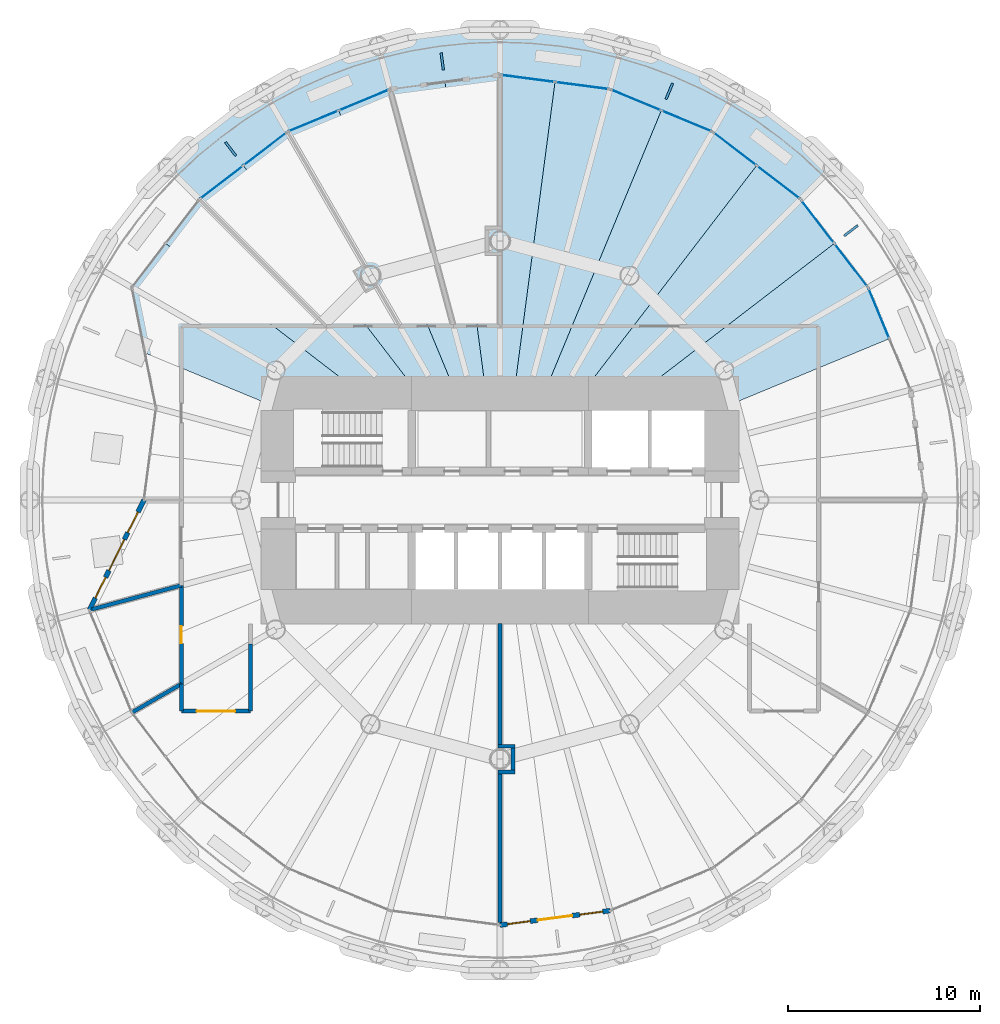
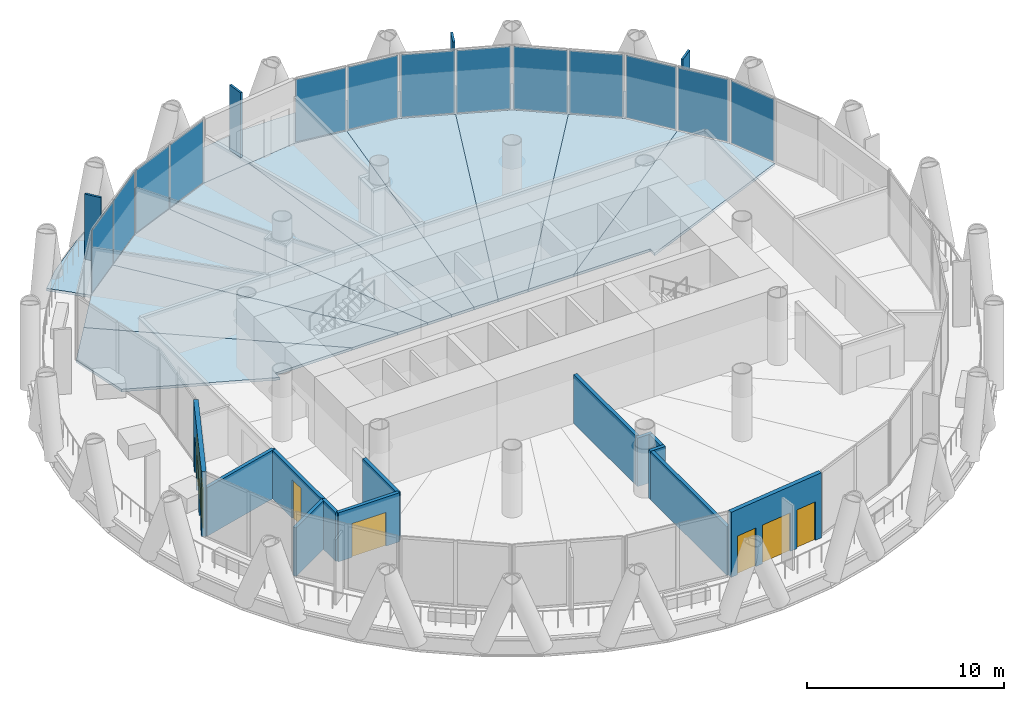
# One storey, part 9 of 16: 17 plates, 13 walls, 10 slabs, 4 doors, 4 windows, 8 openings, 7 elements without a shape of their own.
"""IFC4 building model written with IfcOpenShell, lengths in metres."""

from ifc_helpers import new_model, si_unit, direction, frame, frame_2d, origin, origin_2d, place, context, subcontext, project, spatial, polyline, rectangle, outline, extrude, material, layer, layer_set, type_object, element, fill, aggregate, save


model = new_model("IFC4")

# Units and contexts
model_context = context("Model", 3, precision=1e-05, world=origin(), true_north=direction((0.0, 1.0)))
body_context = subcontext(model_context, "Body", "Model", "MODEL_VIEW")
ifc_project = project(units=[si_unit("LENGTHUNIT", "METRE"), si_unit("AREAUNIT", "SQUARE_METRE"), si_unit("VOLUMEUNIT", "CUBIC_METRE"), si_unit("PLANEANGLEUNIT", "RADIAN"), si_unit("MASSUNIT", "GRAM", prefix="KILO")], contexts=[model_context])

# Site, building, storey
site_placement = place(None, origin())
site = spatial("IfcSite", under=ifc_project, at=site_placement, CompositionType="ELEMENT")
building_placement = place(site_placement, origin())
building = spatial("IfcBuilding", under=site, at=building_placement, Name="Qaws Media Tower", CompositionType="ELEMENT")
storey_placement = place(building_placement, frame((0.0, 0.0, 173.0)))
storey = spatial("IfcBuildingStorey", under=building, at=storey_placement, Name="L39", CompositionType="ELEMENT", Elevation=173.0)

# Slabs
ifc_material_1 = material(Name="Concrete C35/45", Category="concrete")
ifc_layer_1 = layer(ifc_material_1, 0.159912109375)
ifc_layer_set_1 = layer_set([ifc_layer_1], Name="Composite balcony slab 160")
slab_type_1 = type_object("IfcSlabType", Name="Composite balcony slab 160", PredefinedType="FLOOR", material=ifc_layer_set_1)
slab_1_placement = place(storey_placement, frame((0.0, 0.0, -0.159912109375)))
element("IfcSlab", 1, at=slab_1_placement, inside=storey, type_object=slab_type_1, Name="S2 balcony slab L39 R04 to R10, movement joints on R04 and R10", PredefinedType="FLOOR", context=body_context, shape_type="SweptSolid", body=[
    extrude(outline(polyline([(43.81298828125, 68.457763671875), (46.36083984375, 70.41259765625), (49.141845703125, 72.018310546875), (52.108642578125, 73.2470703125), (55.21044921875, 74.078369140625), (58.394287109375, 74.497314453125), (61.605712890625, 74.497314453125), (64.78955078125, 74.078369140625), (67.891357421875, 73.2470703125), (70.858154296875, 72.018310546875), (73.63916015625, 70.41259765625), (76.18701171875, 68.457763671875), (77.322265625, 67.322265625), (75.662353515625, 65.662353515625), (71.074951171875, 69.1826171875), (65.73291015625, 71.395263671875), (60.0, 72.14990234375), (54.26708984375, 71.395263671875), (48.925048828125, 69.1826171875), (44.337646484375, 65.662353515625), (42.677734375, 67.322265625), (43.81298828125, 68.457763671875)])), origin(), (0.0, 0.0, 1.0), 0.159912109375),
])
ifc_material_2 = material(Name="Concrete C35/45", Category="concrete")
ifc_layer_2 = layer(ifc_material_2, 0.159912109375)
ifc_layer_set_2 = layer_set([ifc_layer_2], Name="Composite floor slab 160")
slab_type_2 = type_object("IfcSlabType", Name="Composite floor slab 160", PredefinedType="FLOOR", material=ifc_layer_set_2)
slab_2_placement = place(storey_placement, frame((0.0, 0.0, -0.159912109375)))
element("IfcSlab", 2, at=slab_2_placement, inside=storey, type_object=slab_type_2, Name="S1 floor panel L39 on R03", PredefinedType="FLOOR", context=body_context, shape_type="SweptSolid", body=[
    extrude(outline(polyline([(79.1826171875, 61.074951171875), (80.288818359375, 58.40380859375), (71.0, 54.556396484375), (71.0, 55.0), (66.51611328125, 55.0), (77.42236328125, 63.36865234375), (79.1826171875, 61.074951171875)])), origin(), (0.0, 0.0, 1.0), 0.159912109375),
])
slab_3_placement = place(storey_placement, frame((0.0, 0.0, -0.159912109375)))
element("IfcSlab", 3, at=slab_3_placement, inside=storey, type_object=slab_type_2, Name="S1 floor panel L39 on R04", PredefinedType="FLOOR", context=body_context, shape_type="SweptSolid", body=[
    extrude(outline(polyline([(75.662353515625, 65.662353515625), (77.42236328125, 63.36865234375), (66.51611328125, 55.0), (63.836669921875, 55.0), (73.36865234375, 67.42236328125), (75.662353515625, 65.662353515625)])), origin(), (0.0, 0.0, 1.0), 0.159912109375),
])
slab_4_placement = place(storey_placement, frame((0.0, 0.0, -0.159912109375)))
element("IfcSlab", 4, at=slab_4_placement, inside=storey, type_object=slab_type_2, Name="S1 floor panel L39 on R05", PredefinedType="FLOOR", context=body_context, shape_type="SweptSolid", body=[
    extrude(outline(polyline([(71.074951171875, 69.1826171875), (73.36865234375, 67.42236328125), (63.836669921875, 55.0), (62.071044921875, 55.0), (68.40380859375, 70.288818359375), (71.074951171875, 69.1826171875)])), origin(), (0.0, 0.0, 1.0), 0.159912109375),
])
slab_5_placement = place(storey_placement, frame((0.0, 0.0, -0.159912109375)))
element("IfcSlab", 5, at=slab_5_placement, inside=storey, type_object=slab_type_2, Name="S1 floor panel L39 on R06", PredefinedType="FLOOR", context=body_context, shape_type="SweptSolid", body=[
    extrude(outline(polyline([(65.73291015625, 71.395263671875), (68.40380859375, 70.288818359375), (62.071044921875, 55.0), (60.658203125, 55.0), (62.866455078125, 71.772705078125), (65.73291015625, 71.395263671875)])), origin(), (0.0, 0.0, 1.0), 0.159912109375),
])
slab_6_placement = place(storey_placement, frame((0.0, 0.0, -0.159912109375)))
element("IfcSlab", 6, at=slab_6_placement, inside=storey, type_object=slab_type_2, Name="S1 floor panel L39 on R07", PredefinedType="FLOOR", context=body_context, shape_type="SweptSolid", body=[
    extrude(outline(polyline([(60.0, 72.14990234375), (62.866455078125, 71.772705078125), (60.658203125, 55.0), (59.341796875, 55.0), (57.133544921875, 71.772705078125), (60.0, 72.14990234375)])), origin(), (0.0, 0.0, 1.0), 0.159912109375),
])
slab_7_placement = place(storey_placement, frame((0.0, 0.0, -0.159912109375)))
element("IfcSlab", 7, at=slab_7_placement, inside=storey, type_object=slab_type_2, Name="S1 floor panel L39 on R08", PredefinedType="FLOOR", context=body_context, shape_type="SweptSolid", body=[
    extrude(outline(polyline([(54.26708984375, 71.395263671875), (57.133544921875, 71.772705078125), (59.341796875, 55.0), (57.928955078125, 55.0), (51.59619140625, 70.288818359375), (54.26708984375, 71.395263671875)])), origin(), (0.0, 0.0, 1.0), 0.159912109375),
])
slab_8_placement = place(storey_placement, frame((0.0, 0.0, -0.159912109375)))
element("IfcSlab", 8, at=slab_8_placement, inside=storey, type_object=slab_type_2, Name="S1 floor panel L39 on R09", PredefinedType="FLOOR", context=body_context, shape_type="SweptSolid", body=[
    extrude(outline(polyline([(48.925048828125, 69.1826171875), (51.59619140625, 70.288818359375), (57.928955078125, 55.0), (56.163330078125, 55.0), (46.63134765625, 67.42236328125), (48.925048828125, 69.1826171875)])), origin(), (0.0, 0.0, 1.0), 0.159912109375),
])
slab_9_placement = place(storey_placement, frame((0.0, 0.0, -0.159912109375)))
element("IfcSlab", 9, at=slab_9_placement, inside=storey, type_object=slab_type_2, Name="S1 floor panel L39 on R10", PredefinedType="FLOOR", context=body_context, shape_type="SweptSolid", body=[
    extrude(outline(polyline([(44.337646484375, 65.662353515625), (46.63134765625, 67.42236328125), (56.163330078125, 55.0), (53.48388671875, 55.0), (42.57763671875, 63.36865234375), (44.337646484375, 65.662353515625)])), origin(), (0.0, 0.0, 1.0), 0.159912109375),
])
slab_10_placement = place(storey_placement, frame((0.0, 0.0, -0.159912109375)))
element("IfcSlab", 10, at=slab_10_placement, inside=storey, type_object=slab_type_2, Name="S1 floor panel L39 on R11", PredefinedType="FLOOR", context=body_context, shape_type="SweptSolid", body=[
    extrude(outline(polyline([(40.8173828125, 61.074951171875), (42.57763671875, 63.36865234375), (53.48388671875, 55.0), (49.0, 55.0), (49.0, 54.556396484375), (41.505615234375, 57.66064453125), (40.8173828125, 61.074951171875)])), origin(), (0.0, 0.0, 1.0), 0.159912109375),
])

# Curtain wall, plate
ifc_material_3 = material(Name="Aluminium and clear glass", Category="aluminium")
curtain_wall_type = type_object("IfcCurtainWallType", Name="Unitised curtain wall CW-B", PredefinedType="NOTDEFINED", material=ifc_material_3)
curtain_wall_1_placement = place(storey_placement, origin())
curtain_wall_1 = element("IfcCurtainWall", 11, at=curtain_wall_1_placement, inside=storey, type_object=curtain_wall_type, Name="CWB curtain wall L39-02", PredefinedType="NOTDEFINED")
ifc_material_4 = material(Name="Clear laminated double glazing", Category="glass")
ifc_layer_3 = layer(ifc_material_4, 0.031982421875)
ifc_layer_set_3 = layer_set([ifc_layer_3], Name="Curtain wall glass unit 32")
plate_type_1 = type_object("IfcPlateType", Name="Curtain wall glass unit 32", PredefinedType="CURTAIN_PANEL", material=ifc_layer_set_3)
plate_1_placement = place(storey_placement, frame((79.743408203125, 59.720947265625, 0.080078125), z_axis=(0.0, 0.0, 1.0), x_axis=(-0.382683388683, 0.923879550605, 0.0)))
plate_1 = element("IfcPlate", 12, at=plate_1_placement, type_object=plate_type_1, Name="CWB panel 2.1", PredefinedType="CURTAIN_PANEL", context=body_context, shape_type="SweptSolid", body=[
    extrude(rectangle(XDim=2.771240234375, YDim=0.031982421875, at=origin_2d()), origin(), (0.0, 0.0, 1.0), 3.8798828125),
])
aggregate(curtain_wall_1, [plate_1])

# Curtain wall, plates
curtain_wall_2_placement = place(storey_placement, origin())
curtain_wall_2 = element("IfcCurtainWall", 13, at=curtain_wall_2_placement, inside=storey, type_object=curtain_wall_type, Name="CWB curtain wall L39-03", PredefinedType="NOTDEFINED")
plate_2_placement = place(storey_placement, frame((78.290283203125, 62.23779296875, 0.080078125), z_axis=(0.0, 0.0, 1.0), x_axis=(-0.60876150144, 0.793353284712, 0.0)))
plate_2 = element("IfcPlate", 14, at=plate_2_placement, type_object=plate_type_1, Name="CWB panel 1.1", PredefinedType="CURTAIN_PANEL", context=body_context, shape_type="SweptSolid", body=[
    extrude(rectangle(XDim=2.771240234375, YDim=0.031982421875, at=origin_2d()), origin(), (0.0, 0.0, 1.0), 3.8798828125),
])
plate_3_placement = place(storey_placement, frame((76.5546875, 64.499755859375, 0.080078125), z_axis=(0.0, 0.0, 1.0), x_axis=(-0.60876150144, 0.793353284712, 0.0)))
plate_3 = element("IfcPlate", 15, at=plate_3_placement, type_object=plate_type_1, Name="CWB panel 2.1", PredefinedType="CURTAIN_PANEL", context=body_context, shape_type="SweptSolid", body=[
    extrude(rectangle(XDim=2.771240234375, YDim=0.031982421875, at=origin_2d()), origin(), (0.0, 0.0, 1.0), 3.8798828125),
])
aggregate(curtain_wall_2, [plate_2, plate_3])

curtain_wall_3_placement = place(storey_placement, origin())
curtain_wall_3 = element("IfcCurtainWall", 16, at=curtain_wall_3_placement, inside=storey, type_object=curtain_wall_type, Name="CWB curtain wall L39-04", PredefinedType="NOTDEFINED")
plate_4_placement = place(storey_placement, frame((74.499755859375, 66.5546875, 0.080078125), z_axis=(0.0, 0.0, 1.0), x_axis=(-0.793353284712, 0.60876150144, 0.0)))
plate_4 = element("IfcPlate", 17, at=plate_4_placement, type_object=plate_type_1, Name="CWB panel 1.1", PredefinedType="CURTAIN_PANEL", context=body_context, shape_type="SweptSolid", body=[
    extrude(rectangle(XDim=2.771240234375, YDim=0.031982421875, at=origin_2d()), origin(), (0.0, 0.0, 1.0), 3.8798828125),
])
plate_5_placement = place(storey_placement, frame((72.23779296875, 68.290283203125, 0.080078125), z_axis=(0.0, 0.0, 1.0), x_axis=(-0.793353284712, 0.60876150144, 0.0)))
plate_5 = element("IfcPlate", 18, at=plate_5_placement, type_object=plate_type_1, Name="CWB panel 2.1", PredefinedType="CURTAIN_PANEL", context=body_context, shape_type="SweptSolid", body=[
    extrude(rectangle(XDim=2.771240234375, YDim=0.031982421875, at=origin_2d()), origin(), (0.0, 0.0, 1.0), 3.8798828125),
])
aggregate(curtain_wall_3, [plate_4, plate_5])

curtain_wall_4_placement = place(storey_placement, origin())
curtain_wall_4 = element("IfcCurtainWall", 19, at=curtain_wall_4_placement, inside=storey, type_object=curtain_wall_type, Name="CWB curtain wall L39-05", PredefinedType="NOTDEFINED")
plate_6_placement = place(storey_placement, frame((69.720947265625, 69.743408203125, 0.080078125), z_axis=(0.0, 0.0, 1.0), x_axis=(-0.923879550605, 0.382683388683, 0.0)))
plate_6 = element("IfcPlate", 20, at=plate_6_placement, type_object=plate_type_1, Name="CWB panel 1.1", PredefinedType="CURTAIN_PANEL", context=body_context, shape_type="SweptSolid", body=[
    extrude(rectangle(XDim=2.771240234375, YDim=0.031982421875, at=origin_2d()), origin(), (0.0, 0.0, 1.0), 3.8798828125),
])
plate_7_placement = place(storey_placement, frame((67.0869140625, 70.83447265625, 0.080078125), z_axis=(0.0, 0.0, 1.0), x_axis=(-0.923879550605, 0.382683388683, 0.0)))
plate_7 = element("IfcPlate", 21, at=plate_7_placement, type_object=plate_type_1, Name="CWB panel 2.1", PredefinedType="CURTAIN_PANEL", context=body_context, shape_type="SweptSolid", body=[
    extrude(rectangle(XDim=2.771240234375, YDim=0.031982421875, at=origin_2d()), origin(), (0.0, 0.0, 1.0), 3.8798828125),
])
aggregate(curtain_wall_4, [plate_6, plate_7])

curtain_wall_5_placement = place(storey_placement, origin())
curtain_wall_5 = element("IfcCurtainWall", 22, at=curtain_wall_5_placement, inside=storey, type_object=curtain_wall_type, Name="CWB curtain wall L39-06", PredefinedType="NOTDEFINED")
plate_8_placement = place(storey_placement, frame((64.27978515625, 71.586669921875, 0.080078125), z_axis=(0.0, 0.0, 1.0), x_axis=(-0.991444860647, 0.13052619774, 0.0)))
plate_8 = element("IfcPlate", 23, at=plate_8_placement, type_object=plate_type_1, Name="CWB panel 1.1", PredefinedType="CURTAIN_PANEL", context=body_context, shape_type="SweptSolid", body=[
    extrude(rectangle(XDim=2.771240234375, YDim=0.031982421875, at=origin_2d()), origin(), (0.0, 0.0, 1.0), 3.8798828125),
])
plate_9_placement = place(storey_placement, frame((61.453125, 71.958740234375, 0.080078125), z_axis=(0.0, 0.0, 1.0), x_axis=(-0.991444860647, 0.13052619774, 0.0)))
plate_9 = element("IfcPlate", 24, at=plate_9_placement, type_object=plate_type_1, Name="CWB panel 2.1", PredefinedType="CURTAIN_PANEL", context=body_context, shape_type="SweptSolid", body=[
    extrude(rectangle(XDim=2.771240234375, YDim=0.031982421875, at=origin_2d()), origin(), (0.0, 0.0, 1.0), 3.8798828125),
])
aggregate(curtain_wall_5, [plate_8, plate_9])

curtain_wall_6_placement = place(storey_placement, origin())
curtain_wall_6 = element("IfcCurtainWall", 25, at=curtain_wall_6_placement, inside=storey, type_object=curtain_wall_type, Name="CWB curtain wall L39-08", PredefinedType="NOTDEFINED")
plate_10_placement = place(storey_placement, frame((52.9130859375, 70.83447265625, 0.080078125), z_axis=(0.0, 0.0, 1.0), x_axis=(-0.923879550605, -0.382683388683, 0.0)))
plate_10 = element("IfcPlate", 26, at=plate_10_placement, type_object=plate_type_1, Name="CWB panel 1.1", PredefinedType="CURTAIN_PANEL", context=body_context, shape_type="SweptSolid", body=[
    extrude(rectangle(XDim=2.771240234375, YDim=0.031982421875, at=origin_2d()), origin(), (0.0, 0.0, 1.0), 3.8798828125),
])
plate_11_placement = place(storey_placement, frame((50.279052734375, 69.743408203125, 0.080078125), z_axis=(0.0, 0.0, 1.0), x_axis=(-0.923879550605, -0.382683388683, 0.0)))
plate_11 = element("IfcPlate", 27, at=plate_11_placement, type_object=plate_type_1, Name="CWB panel 2.1", PredefinedType="CURTAIN_PANEL", context=body_context, shape_type="SweptSolid", body=[
    extrude(rectangle(XDim=2.771240234375, YDim=0.031982421875, at=origin_2d()), origin(), (0.0, 0.0, 1.0), 3.8798828125),
])
aggregate(curtain_wall_6, [plate_10, plate_11])

curtain_wall_7_placement = place(storey_placement, origin())
curtain_wall_7 = element("IfcCurtainWall", 28, at=curtain_wall_7_placement, inside=storey, type_object=curtain_wall_type, Name="CWB curtain wall L39-09", PredefinedType="NOTDEFINED")
plate_12_placement = place(storey_placement, frame((47.76220703125, 68.290283203125, 0.080078125), z_axis=(0.0, 0.0, 1.0), x_axis=(-0.793353284712, -0.60876150144, 0.0)))
plate_12 = element("IfcPlate", 29, at=plate_12_placement, type_object=plate_type_1, Name="CWB panel 1.1", PredefinedType="CURTAIN_PANEL", context=body_context, shape_type="SweptSolid", body=[
    extrude(rectangle(XDim=2.771240234375, YDim=0.031982421875, at=origin_2d()), origin(), (0.0, 0.0, 1.0), 3.8798828125),
])
plate_13_placement = place(storey_placement, frame((45.500244140625, 66.5546875, 0.080078125), z_axis=(0.0, 0.0, 1.0), x_axis=(-0.793353284712, -0.60876150144, 0.0)))
plate_13 = element("IfcPlate", 30, at=plate_13_placement, type_object=plate_type_1, Name="CWB panel 2.1", PredefinedType="CURTAIN_PANEL", context=body_context, shape_type="SweptSolid", body=[
    extrude(rectangle(XDim=2.771240234375, YDim=0.031982421875, at=origin_2d()), origin(), (0.0, 0.0, 1.0), 3.8798828125),
])
aggregate(curtain_wall_7, [plate_12, plate_13])

# Plates
ifc_material_5 = material(Name="Precast concrete screen fin", Category="concrete")
ifc_layer_4 = layer(ifc_material_5, 0.1201171875)
ifc_layer_set_4 = layer_set([ifc_layer_4], Name="Screen fin 120x900")
plate_type_2 = type_object("IfcPlateType", Name="Screen fin 120x900", PredefinedType="USERDEFINED", material=ifc_layer_set_4)
for number, where, z_axis, x_axis, name in (
    (31, (78.286865234375, 64.031982421875, 0.0), (0.0, 0.0, 1.0), (0.793353340291, 0.608761429009, 0.0), "SCR1 screen fin L39-02"),
    (32, (68.82080078125, 71.29541015625, 0.0), (0.0, 0.0, 1.0), (0.382683432365, 0.923879532511, 0.0), "SCR1 screen fin L39-03"),
    (33, (56.991455078125, 72.852783203125, 0.0), (0.0, 0.0, 1.0), (-0.13052619222, 0.991444861374, 0.0), "SCR1 screen fin L39-04"),
    (34, (45.968017578125, 68.286865234375, 0.0), (0.0, 0.0, 1.0), (-0.608761429009, 0.793353340291, 0.0), "SCR1 screen fin L39-05"),
):
    element("IfcPlate", number, at=place(storey_placement, frame(where, z_axis=z_axis, x_axis=x_axis)), inside=storey, type_object=plate_type_2, Name=name, ObjectType="SCREEN", PredefinedType="USERDEFINED", context=body_context, shape_type="SweptSolid", body=[
        extrude(rectangle(XDim=0.89990234375, YDim=0.1201171875, at=origin_2d()), origin(), (0.0, 0.0, 1.0), 4.0400390625),
    ])

# Wall, openings, door, windows
ifc_material_6 = material(Name="Precast concrete, exposed finish", Category="concrete")
ifc_layer_5 = layer(ifc_material_6, 0.25)
ifc_layer_set_5 = layer_set([ifc_layer_5], Name="Balcony door wall 250")
wall_type_1 = type_object("IfcWallType", Name="Balcony door wall 250", PredefinedType="SOLIDWALL", material=ifc_layer_set_5)
wall_1_placement = place(storey_placement, frame((41.449951171875, 50.0, 0.0), z_axis=(0.0, 0.0, 1.0), x_axis=(-0.444556644785, -0.895750740763, 0.0)))
wall_1 = element("IfcWall", 35, at=wall_1_placement, inside=storey, type_object=wall_type_1, Name="W214 EW1 balcony door wall L39-13", PredefinedType="SOLIDWALL", context=body_context, shape_type="SweptSolid", body=[
    extrude(rectangle(XDim=6.400146484375, YDim=0.25, at=frame_2d((3.2001953125, 0.0))), origin(), (0.0, 0.0, 1.0), 4.0400390625),
])
opening_1_placement = place(wall_1_placement, frame((2.300048828125, 0.0, 0.0)))
opening_1 = element("IfcOpeningElement", 36, at=opening_1_placement, cuts=wall_1, Name="Opening D7", PredefinedType="OPENING", context=body_context, shape_type="SweptSolid", body=[
    extrude(rectangle(XDim=1.800048828125, YDim=2.39990234375, at=frame_2d((0.89990234375, 1.199951171875))), frame((0.0, 0.135009765625, 0.0), z_axis=(0.0, -1.0, 0.0), x_axis=(1.0, 0.0, 0.0)), (0.0, 0.0, 1.0), 0.27001953125),
])
opening_2_placement = place(wall_1_placement, frame((0.699951171875, 0.0, 0.0)))
opening_2 = element("IfcOpeningElement", 37, at=opening_2_placement, cuts=wall_1, Name="Opening W1", PredefinedType="OPENING", context=body_context, shape_type="SweptSolid", body=[
    extrude(rectangle(XDim=1.199951171875, YDim=2.39990234375, at=frame_2d((0.60009765625, 1.199951171875))), frame((0.0, 0.135009765625, 0.0), z_axis=(0.0, -1.0, 0.0), x_axis=(1.0, 0.0, 0.0)), (0.0, 0.0, 1.0), 0.27001953125),
])
opening_3_placement = place(wall_1_placement, frame((4.5, 0.0, 0.0)))
opening_3 = element("IfcOpeningElement", 38, at=opening_3_placement, cuts=wall_1, Name="Opening W1", PredefinedType="OPENING", context=body_context, shape_type="SweptSolid", body=[
    extrude(rectangle(XDim=1.199951171875, YDim=2.39990234375, at=frame_2d((0.60009765625, 1.199951171875))), frame((0.0, 0.135009765625, 0.0), z_axis=(0.0, -1.0, 0.0), x_axis=(1.0, 0.0, 0.0)), (0.0, 0.0, 1.0), 0.27001953125),
])
ifc_material_7 = material(Name="Aluminium and clear glass", Category="aluminium")
door_type_1 = type_object("IfcDoorType", Name="Balcony door pair 1800", OperationType="DOUBLE_DOOR_SLIDING", PredefinedType="DOOR", material=ifc_material_7)
door_1_placement = place(opening_1_placement, origin())
door_1 = element("IfcDoor", 39, at=door_1_placement, inside=storey, type_object=door_type_1, Name="D7 balcony door L39-13 in wall W214", OperationType="DOUBLE_DOOR_SLIDING", OverallHeight=2.39990234375, OverallWidth=1.800048828125, PredefinedType="DOOR", context=body_context, shape_type="SweptSolid", body=[
    extrude(rectangle(XDim=1.800048828125, YDim=2.39990234375, at=frame_2d((0.89990234375, 1.199951171875))), frame((0.0, 0.02490234375, 0.0), z_axis=(0.0, -1.0, 0.0), x_axis=(1.0, 0.0, 0.0)), (0.0, 0.0, 1.0), 0.050048828125),
])
fill(opening_1, door_1)
ifc_material_8 = material(Name="Aluminium and clear glass", Category="aluminium")
window_type = type_object("IfcWindowType", Name="Balcony side window 1200", PartitioningType="SINGLE_PANEL", PredefinedType="WINDOW", material=ifc_material_8)
window_1_placement = place(opening_2_placement, origin())
window_1 = element("IfcWindow", 40, at=window_1_placement, inside=storey, type_object=window_type, Name="W1 balcony side light L39-13L", OverallHeight=2.39990234375, OverallWidth=1.199951171875, PartitioningType="SINGLE_PANEL", PredefinedType="WINDOW", context=body_context, shape_type="SweptSolid", body=[
    extrude(rectangle(XDim=1.199951171875, YDim=2.39990234375, at=frame_2d((0.60009765625, 1.199951171875))), frame((0.0, 0.030029296875, 0.0), z_axis=(0.0, -1.0, 0.0), x_axis=(1.0, 0.0, 0.0)), (0.0, 0.0, 1.0), 0.06005859375),
])
fill(opening_2, window_1)
window_2_placement = place(opening_3_placement, origin())
window_2 = element("IfcWindow", 41, at=window_2_placement, inside=storey, type_object=window_type, Name="W1 balcony side light L39-13R", OverallHeight=2.39990234375, OverallWidth=1.199951171875, PartitioningType="SINGLE_PANEL", PredefinedType="WINDOW", context=body_context, shape_type="SweptSolid", body=[
    extrude(rectangle(XDim=1.199951171875, YDim=2.39990234375, at=frame_2d((0.60009765625, 1.199951171875))), frame((0.0, 0.030029296875, 0.0), z_axis=(0.0, -1.0, 0.0), x_axis=(1.0, 0.0, 0.0)), (0.0, 0.0, 1.0), 0.06005859375),
])
fill(opening_3, window_2)

wall_2_placement = place(storey_placement, frame((60.0, 27.85009765625, 0.0), z_axis=(0.0, 0.0, 1.0), x_axis=(0.991447396143, 0.130506937291, 0.0)))
wall_2 = element("IfcWall", 42, at=wall_2_placement, inside=storey, type_object=wall_type_1, Name="W215 EW1 balcony door wall L39-19", PredefinedType="SOLIDWALL", context=body_context, shape_type="SweptSolid", body=[
    extrude(rectangle(XDim=5.782470703125, YDim=0.25, at=frame_2d((2.89111328125, 0.0))), origin(), (0.0, 0.0, 1.0), 4.0400390625),
])
opening_4_placement = place(wall_2_placement, frame((1.9912109375, 0.0, 0.0)))
opening_4 = element("IfcOpeningElement", 43, at=opening_4_placement, cuts=wall_2, Name="Opening D7", PredefinedType="OPENING", context=body_context, shape_type="SweptSolid", body=[
    extrude(rectangle(XDim=1.800048828125, YDim=2.39990234375, at=frame_2d((0.89990234375, 1.199951171875))), frame((0.0, 0.135009765625, 0.0), z_axis=(0.0, -1.0, 0.0), x_axis=(1.0, 0.0, 0.0)), (0.0, 0.0, 1.0), 0.27001953125),
])
opening_5_placement = place(wall_2_placement, frame((0.39111328125, 0.0, 0.0)))
opening_5 = element("IfcOpeningElement", 44, at=opening_5_placement, cuts=wall_2, Name="Opening W1", PredefinedType="OPENING", context=body_context, shape_type="SweptSolid", body=[
    extrude(rectangle(XDim=1.199951171875, YDim=2.39990234375, at=frame_2d((0.60009765625, 1.199951171875))), frame((0.0, 0.135009765625, 0.0), z_axis=(0.0, -1.0, 0.0), x_axis=(1.0, 0.0, 0.0)), (0.0, 0.0, 1.0), 0.27001953125),
])
opening_6_placement = place(wall_2_placement, frame((4.191162109375, 0.0, 0.0)))
opening_6 = element("IfcOpeningElement", 45, at=opening_6_placement, cuts=wall_2, Name="Opening W1", PredefinedType="OPENING", context=body_context, shape_type="SweptSolid", body=[
    extrude(rectangle(XDim=1.199951171875, YDim=2.39990234375, at=frame_2d((0.60009765625, 1.199951171875))), frame((0.0, 0.135009765625, 0.0), z_axis=(0.0, -1.0, 0.0), x_axis=(1.0, 0.0, 0.0)), (0.0, 0.0, 1.0), 0.27001953125),
])
door_2_placement = place(opening_4_placement, origin())
door_2 = element("IfcDoor", 46, at=door_2_placement, inside=storey, type_object=door_type_1, Name="D7 balcony door L39-19 in wall W215", OperationType="DOUBLE_DOOR_SLIDING", OverallHeight=2.39990234375, OverallWidth=1.800048828125, PredefinedType="DOOR", context=body_context, shape_type="SweptSolid", body=[
    extrude(rectangle(XDim=1.800048828125, YDim=2.39990234375, at=frame_2d((0.89990234375, 1.199951171875))), frame((0.0, 0.02490234375, 0.0), z_axis=(0.0, -1.0, 0.0), x_axis=(1.0, 0.0, 0.0)), (0.0, 0.0, 1.0), 0.050048828125),
])
fill(opening_4, door_2)
window_3_placement = place(opening_5_placement, origin())
window_3 = element("IfcWindow", 47, at=window_3_placement, inside=storey, type_object=window_type, Name="W1 balcony side light L39-19L", OverallHeight=2.39990234375, OverallWidth=1.199951171875, PartitioningType="SINGLE_PANEL", PredefinedType="WINDOW", context=body_context, shape_type="SweptSolid", body=[
    extrude(rectangle(XDim=1.199951171875, YDim=2.39990234375, at=frame_2d((0.60009765625, 1.199951171875))), frame((0.0, 0.030029296875, 0.0), z_axis=(0.0, -1.0, 0.0), x_axis=(1.0, 0.0, 0.0)), (0.0, 0.0, 1.0), 0.06005859375),
])
fill(opening_5, window_3)
window_4_placement = place(opening_6_placement, origin())
window_4 = element("IfcWindow", 48, at=window_4_placement, inside=storey, type_object=window_type, Name="W1 balcony side light L39-19R", OverallHeight=2.39990234375, OverallWidth=1.199951171875, PartitioningType="SINGLE_PANEL", PredefinedType="WINDOW", context=body_context, shape_type="SweptSolid", body=[
    extrude(rectangle(XDim=1.199951171875, YDim=2.39990234375, at=frame_2d((0.60009765625, 1.199951171875))), frame((0.0, 0.030029296875, 0.0), z_axis=(0.0, -1.0, 0.0), x_axis=(1.0, 0.0, 0.0)), (0.0, 0.0, 1.0), 0.06005859375),
])
fill(opening_6, window_4)

# Wall
ifc_material_9 = material(Name="Gypsum board on galvanised metal studs, acoustic double stud, deflection head", Category="gypsum")
ifc_layer_6 = layer(ifc_material_9, 0.199951171875)
ifc_layer_set_6 = layer_set([ifc_layer_6], Name="Room partition 200")
wall_type_2 = type_object("IfcWallType", Name="Room partition 200", PredefinedType="PARTITIONING", material=ifc_layer_set_6)
wall_3_placement = place(storey_placement, frame((47.0, 42.494384765625, 0.0), z_axis=(0.0, 0.0, 1.0), x_axis=(0.0, -1.0, 0.0)))
element("IfcWall", 49, at=wall_3_placement, inside=storey, type_object=wall_type_2, Name="W1366 IW3 partition L39", PredefinedType="PARTITIONING", context=body_context, shape_type="SweptSolid", body=[
    extrude(rectangle(XDim=3.494384765625, YDim=0.199951171875, at=frame_2d((1.7470703125, 0.0))), origin(), (0.0, 0.0, 1.0), 3.011962890625),
])

# Wall, opening, door
wall_4_placement = place(storey_placement, frame((47.0, 39.0, 0.0), z_axis=(0.0, 0.0, 1.0), x_axis=(-1.0, 0.0, 0.0)))
wall_4 = element("IfcWall", 50, at=wall_4_placement, inside=storey, type_object=wall_type_2, Name="W1253 IW3 partition L39", PredefinedType="PARTITIONING", context=body_context, shape_type="SweptSolid", body=[
    extrude(rectangle(XDim=3.60009765625, YDim=0.199951171875, at=frame_2d((1.800048828125, 0.0))), origin(), (0.0, 0.0, 1.0), 3.0400390625),
])
opening_7_placement = place(wall_4_placement, frame((0.800048828125, 0.0, 0.0)))
opening_7 = element("IfcOpeningElement", 51, at=opening_7_placement, cuts=wall_4, Name="Opening D6", PredefinedType="OPENING", context=body_context, shape_type="SweptSolid", body=[
    extrude(rectangle(XDim=2.0, YDim=2.10009765625, at=frame_2d((1.0, 1.050048828125))), frame((0.0, 0.10986328125, 0.0), z_axis=(0.0, -1.0, 0.0), x_axis=(1.0, 0.0, 0.0)), (0.0, 0.0, 1.0), 0.219970703125),
])
ifc_material_10 = material(Name="Steel, acoustic, fire rated", Category="steel")
door_type_2 = type_object("IfcDoorType", Name="Room door pair 2000", OperationType="DOUBLE_DOOR_DOUBLE_SWING", PredefinedType="DOOR", material=ifc_material_10)
door_3_placement = place(opening_7_placement, origin())
door_3 = element("IfcDoor", 52, at=door_3_placement, inside=storey, type_object=door_type_2, Name="D6 Communications office door L39 in wall W1253", OperationType="DOUBLE_DOOR_DOUBLE_SWING", OverallHeight=2.10009765625, OverallWidth=2.0, PredefinedType="DOOR", context=body_context, shape_type="SweptSolid", body=[
    extrude(rectangle(XDim=2.0, YDim=2.10009765625, at=frame_2d((1.0, 1.050048828125))), frame((0.0, 0.02490234375, 0.0), z_axis=(0.0, -1.0, 0.0), x_axis=(1.0, 0.0, 0.0)), (0.0, 0.0, 1.0), 0.050048828125),
])
fill(opening_7, door_3)

# Wall
wall_5_placement = place(storey_placement, frame((43.39990234375, 39.0, 0.0), z_axis=(0.0, 0.0, 1.0), x_axis=(0.0, 1.0, 0.0)))
element("IfcWall", 53, at=wall_5_placement, inside=storey, type_object=wall_type_2, Name="W1386 IW3 partition L39", PredefinedType="PARTITIONING", context=body_context, shape_type="SweptSolid", body=[
    extrude(rectangle(XDim=1.416015625, YDim=0.199951171875, at=frame_2d((0.7080078125, 0.0))), origin(), (0.0, 0.0, 1.0), 3.011962890625),
])

# Wall, opening, door
wall_6_placement = place(storey_placement, frame((43.39990234375, 40.416015625, 0.0), z_axis=(0.0, 0.0, 1.0), x_axis=(0.0, 1.0, 0.0)))
wall_6 = element("IfcWall", 54, at=wall_6_placement, inside=storey, type_object=wall_type_2, Name="W1387 IW3 partition L39", PredefinedType="PARTITIONING", context=body_context, shape_type="SweptSolid", body=[
    extrude(rectangle(XDim=5.135986328125, YDim=0.199951171875, at=frame_2d((2.56787109375, 0.0))), origin(), (0.0, 0.0, 1.0), 3.011962890625),
])
opening_8_placement = place(wall_6_placement, frame((2.117919921875, 0.0, 0.0)))
opening_8 = element("IfcOpeningElement", 55, at=opening_8_placement, cuts=wall_6, Name="Opening D12", PredefinedType="OPENING", context=body_context, shape_type="SweptSolid", body=[
    extrude(rectangle(XDim=0.89990234375, YDim=2.39990234375, at=frame_2d((0.449951171875, 1.199951171875))), frame((0.0, 0.10986328125, 0.0), z_axis=(0.0, -1.0, 0.0), x_axis=(1.0, 0.0, 0.0)), (0.0, 0.0, 1.0), 0.219970703125),
])
ifc_material_11 = material(Name="Timber veneered, full height", Category="wood")
door_type_3 = type_object("IfcDoorType", Name="Office door 900x2400", OperationType="SINGLE_SWING_LEFT", PredefinedType="DOOR", material=ifc_material_11)
door_4_placement = place(opening_8_placement, origin())
door_4 = element("IfcDoor", 56, at=door_4_placement, inside=storey, type_object=door_type_3, Name="D12 Office door L39 in wall W1387", OperationType="SINGLE_SWING_LEFT", OverallHeight=2.39990234375, OverallWidth=0.89990234375, PredefinedType="DOOR", context=body_context, shape_type="SweptSolid", body=[
    extrude(rectangle(XDim=0.89990234375, YDim=2.39990234375, at=frame_2d((0.449951171875, 1.199951171875))), frame((0.0, 0.02490234375, 0.0), z_axis=(0.0, -1.0, 0.0), x_axis=(1.0, 0.0, 0.0)), (0.0, 0.0, 1.0), 0.050048828125),
])
fill(opening_8, door_4)

# Walls
wall_7_placement = place(storey_placement, frame((43.405517578125, 45.553466796875, 0.0), z_axis=(0.0, 0.0, 1.0), x_axis=(-0.965932258808, -0.25879503742, 0.0)))
element("IfcWall", 57, at=wall_7_placement, inside=storey, type_object=wall_type_2, Name="W1391 IW3 partition L39", PredefinedType="PARTITIONING", context=body_context, shape_type="SweptSolid", body=[
    extrude(rectangle(XDim=4.830078125, YDim=0.199951171875, at=frame_2d((2.4150390625, 0.0))), origin(), (0.0, 0.0, 1.0), 3.011962890625),
])
wall_8_placement = place(storey_placement, frame((43.406982421875, 40.419921875, 0.0), z_axis=(0.0, 0.0, 1.0), x_axis=(-0.866039495442, -0.49997559174, 0.0)))
element("IfcWall", 58, at=wall_8_placement, inside=storey, type_object=wall_type_2, Name="W1392 IW3 partition L39", PredefinedType="PARTITIONING", context=body_context, shape_type="SweptSolid", body=[
    extrude(rectangle(XDim=2.949951171875, YDim=0.199951171875, at=frame_2d((1.47509765625, 0.0))), origin(), (0.0, 0.0, 1.0), 3.011962890625),
])
for number, where, z_axis, x_axis, name in (
    (59, (59.89990234375, 37.16796875, 0.0), (0.0, 0.0, 1.0), (1.0, 0.0, 0.0), "W1345 IW3 partition return L39"),
    (60, (59.89990234375, 35.83203125, 0.0), (0.0, 0.0, 1.0), (1.0, 0.0, 0.0), "W1344 IW3 partition return L39"),
):
    element("IfcWall", number, at=place(storey_placement, frame(where, z_axis=z_axis, x_axis=x_axis)), inside=storey, type_object=wall_type_2, Name=name, PredefinedType="PARTITIONING", context=body_context, shape_type="SweptSolid", body=[
        extrude(rectangle(XDim=0.878173828125, YDim=0.199951171875, at=frame_2d((0.43896484375, 0.0))), origin(), (0.0, 0.0, 1.0), 3.011962890625),
    ])
wall_9_placement = place(storey_placement, frame((60.677978515625, 37.068115234375, 0.0), z_axis=(0.0, 0.0, 1.0), x_axis=(0.0, -1.0, 0.0)))
element("IfcWall", 61, at=wall_9_placement, inside=storey, type_object=wall_type_2, Name="W1350 IW3 partition return L39", PredefinedType="PARTITIONING", context=body_context, shape_type="SweptSolid", body=[
    extrude(rectangle(XDim=1.13623046875, YDim=0.199951171875, at=frame_2d((0.568115234375, 0.0))), origin(), (0.0, 0.0, 1.0), 3.011962890625),
])
wall_10_placement = place(storey_placement, frame((60.0, 43.56005859375, 0.0), z_axis=(0.0, 0.0, 1.0), x_axis=(0.0, -1.0, 0.0)))
element("IfcWall", 62, at=wall_10_placement, inside=storey, type_object=wall_type_2, Name="W1288 IW3 partition L39", PredefinedType="PARTITIONING", context=body_context, shape_type="SweptSolid", body=[
    extrude(rectangle(XDim=6.2919921875, YDim=0.199951171875, at=frame_2d((3.14599609375, 0.0))), origin(), (0.0, 0.0, 1.0), 3.0400390625),
])
wall_11_placement = place(storey_placement, frame((60.0, 35.73193359375, 0.0), z_axis=(0.0, 0.0, 1.0), x_axis=(0.0, -1.0, 0.0)))
element("IfcWall", 63, at=wall_11_placement, inside=storey, type_object=wall_type_2, Name="W1395 IW3 partition L39", PredefinedType="PARTITIONING", context=body_context, shape_type="SweptSolid", body=[
    extrude(rectangle(XDim=7.741943359375, YDim=0.199951171875, at=frame_2d((3.87109375, 0.0))), origin(), (0.0, 0.0, 1.0), 3.011962890625),
])

save(model, "model.ifc")
